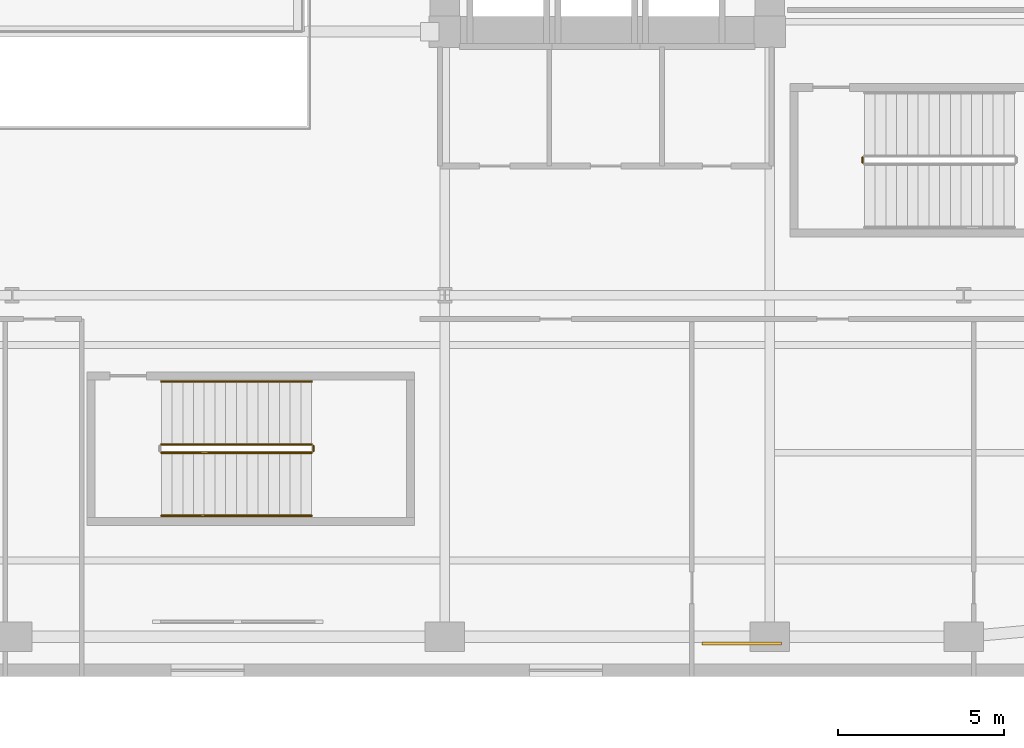
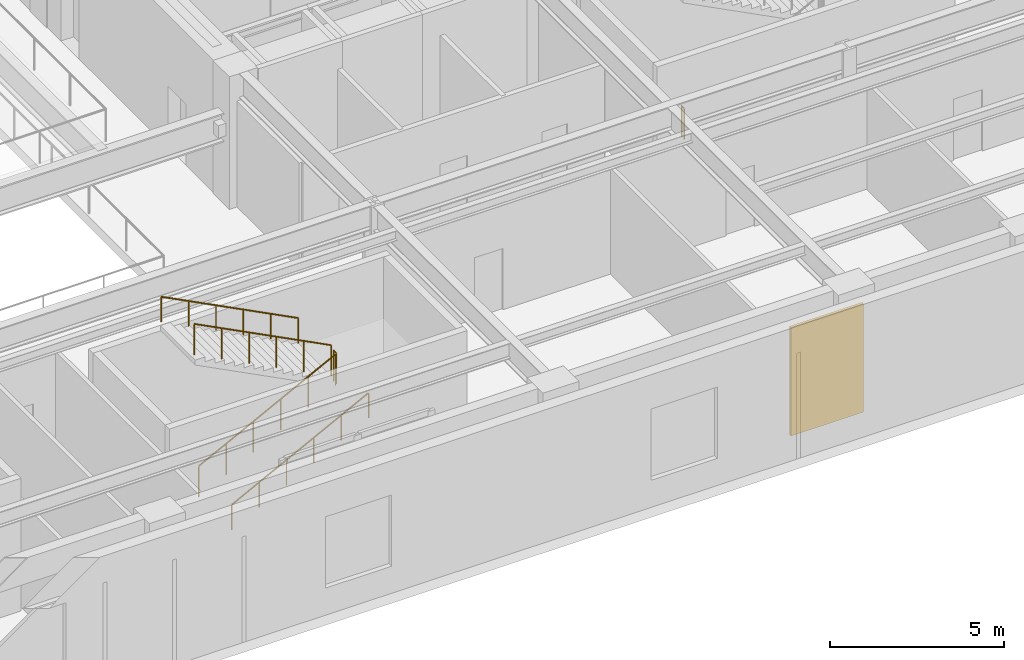
# One storey, part 16 of 22: 6 railings, 1 covering.
"""IFC4 building model written with IfcOpenShell, lengths in metres."""

from ifc_helpers import new_model, si_unit, direction, frame, origin, origin_2d, place, context, subcontext, project, spatial, rectangle, circle, extrude, material, layer, layer_set, type_object, element, save


model = new_model("IFC4")

# Units and contexts
model_context = context("Model", 3, precision=1e-05, world=origin(), true_north=direction((0.0, 1.0)))
body_context = subcontext(model_context, "Body", "Model", "MODEL_VIEW")
ifc_project = project(units=[si_unit("LENGTHUNIT", "METRE"), si_unit("AREAUNIT", "SQUARE_METRE"), si_unit("VOLUMEUNIT", "CUBIC_METRE"), si_unit("PLANEANGLEUNIT", "RADIAN"), si_unit("MASSUNIT", "GRAM", prefix="KILO")], contexts=[model_context])

# Site, building, storey
site_placement = place(None, origin())
site = spatial("IfcSite", under=ifc_project, at=site_placement, CompositionType="ELEMENT")
building_placement = place(site_placement, origin())
building = spatial("IfcBuilding", under=site, at=building_placement, Name="Kolvaren Arena Tower", CompositionType="ELEMENT")
storey_placement = place(building_placement, frame((0.0, 0.0, 13.0)))
storey = spatial("IfcBuildingStorey", under=building, at=storey_placement, Name="L02", CompositionType="ELEMENT", Elevation=13.0)

# Covering
ifc_material_1 = material(Name="Reconstituted Ontario limestone cladding panel", Category="masonry")
ifc_layer = layer(ifc_material_1, 0.0849609375)
ifc_layer_set = layer_set([ifc_layer], Name="Reconstituted Ontario limestone cladding panel")
covering_type = type_object("IfcCoveringType", Name="CLAD-PRC-1", PredefinedType="CLADDING", material=ifc_layer_set)
covering_placement = place(storey_placement, frame((59.5, 1.0, 0.10009765625), z_axis=(0.0, 0.0, 1.0), x_axis=(1.0, 0.0, 0.0)))
element("IfcCovering", 1, at=covering_placement, inside=storey, type_object=covering_type, Name="Limestone Spandrel Cladding Panel 4 (L02)", PredefinedType="CLADDING", context=body_context, shape_type="SweptSolid", body=[
    extrude(rectangle(XDim=2.39990234375, YDim=0.0849609375, at=origin_2d()), origin(), (0.0, 0.0, 1.0), 3.800048828125),
])

# Railings
ifc_material_2 = material(Name="Painted galvanized steel", Category="steel")
railing_type_1 = type_object("IfcRailingType", Name="GUARD-ST-110", PredefinedType="GUARDRAIL", material=ifc_material_2)
railing_1_placement = place(storey_placement, frame((42.0, 6.75, 0.166748046875)))
element("IfcRailing", 2, at=railing_1_placement, inside=storey, type_object=railing_type_1, Name="L02 ST-A3 stair guard 1", PredefinedType="GUARDRAIL", context=body_context, shape_type="SweptSolid", body=[
    extrude(circle(Radius=0.02392578125, at=origin_2d()), frame((0.0, 0.0, 1.076171875), z_axis=(0.889247197123, 0.0, 0.45742695855), x_axis=(0.0, 1.0, 0.0)), (0.0, 0.0, 1.0), 5.100830078125),
    extrude(circle(Radius=0.02099609375, at=origin_2d()), origin(), (0.0, 0.0, 1.0), 1.052001953125),
    extrude(circle(Radius=0.02099609375, at=origin_2d()), frame((0.9072265625, 0.0, 0.466552734375)), (0.0, 0.0, 1.0), 1.052001953125),
    extrude(circle(Radius=0.02099609375, at=origin_2d()), frame((1.814453125, 0.0, 0.933349609375)), (0.0, 0.0, 1.0), 1.052001953125),
    extrude(circle(Radius=0.02099609375, at=origin_2d()), frame((2.721435546875, 0.0, 1.39990234375)), (0.0, 0.0, 1.0), 1.052001953125),
    extrude(circle(Radius=0.02099609375, at=origin_2d()), frame((3.628662109375, 0.0, 1.86669921875)), (0.0, 0.0, 1.0), 1.052001953125),
    extrude(circle(Radius=0.02099609375, at=origin_2d()), frame((4.535888671875, 0.0, 2.333251953125)), (0.0, 0.0, 1.0), 1.052001953125),
])
railing_2_placement = place(storey_placement, frame((46.5859375, 6.800048828125, 2.5)))
element("IfcRailing", 3, at=railing_2_placement, inside=storey, type_object=railing_type_1, Name="L02 ST-A3 stair guard 2", PredefinedType="GUARDRAIL", context=body_context, shape_type="SweptSolid", body=[
    extrude(circle(Radius=0.02392578125, at=origin_2d()), frame((0.0, 0.0, 1.076171875), z_axis=(0.0, 1.0, 0.0), x_axis=(-1.0, 0.0, 0.0)), (0.0, 0.0, 1.0), 0.14990234375),
    extrude(circle(Radius=0.02099609375, at=origin_2d()), origin(), (0.0, 0.0, 1.0), 1.052001953125),
    extrude(circle(Radius=0.02099609375, at=origin_2d()), frame((0.0, 0.14990234375, 0.0)), (0.0, 0.0, 1.0), 1.052001953125),
])
railing_3_placement = place(storey_placement, frame((46.535888671875, 7.0, 2.666748046875)))
element("IfcRailing", 4, at=railing_3_placement, inside=storey, type_object=railing_type_1, Name="L02 ST-A3 stair guard 3", PredefinedType="GUARDRAIL", context=body_context, shape_type="SweptSolid", body=[
    extrude(circle(Radius=0.02392578125, at=origin_2d()), frame((0.0, 0.0, 1.076171875), z_axis=(-0.889247197123, 0.0, 0.45742695855), x_axis=(0.0, -1.0, 0.0)), (0.0, 0.0, 1.0), 5.100830078125),
    extrude(circle(Radius=0.02099609375, at=origin_2d()), origin(), (0.0, 0.0, 1.0), 1.052001953125),
    extrude(circle(Radius=0.02099609375, at=origin_2d()), frame((-0.9072265625, 0.0, 0.466552734375)), (0.0, 0.0, 1.0), 1.052001953125),
    extrude(circle(Radius=0.02099609375, at=origin_2d()), frame((-1.814453125, 0.0, 0.933349609375)), (0.0, 0.0, 1.0), 1.052001953125),
    extrude(circle(Radius=0.02099609375, at=origin_2d()), frame((-2.721435546875, 0.0, 1.39990234375)), (0.0, 0.0, 1.0), 1.052001953125),
    extrude(circle(Radius=0.02099609375, at=origin_2d()), frame((-3.628662109375, 0.0, 1.86669921875)), (0.0, 0.0, 1.0), 1.052001953125),
    extrude(circle(Radius=0.02099609375, at=origin_2d()), frame((-4.535888671875, 0.0, 2.333251953125)), (0.0, 0.0, 1.0), 1.052001953125),
])
railing_4_placement = place(storey_placement, frame((63.14990234375, 15.5, 0.0)))
element("IfcRailing", 5, at=railing_4_placement, inside=storey, type_object=railing_type_1, Name="L02 ST-A4 stair guard 4", PredefinedType="GUARDRAIL", context=body_context, shape_type="SweptSolid", body=[
    extrude(circle(Radius=0.02392578125, at=origin_2d()), frame((0.0, 0.0, 1.076171875), z_axis=(0.0, 1.0, 0.0), x_axis=(-1.0, 0.0, 0.0)), (0.0, 0.0, 1.0), 0.14990234375),
    extrude(circle(Radius=0.02099609375, at=origin_2d()), origin(), (0.0, 0.0, 1.0), 1.052001953125),
    extrude(circle(Radius=0.02099609375, at=origin_2d()), frame((0.0, 0.14990234375, 0.0)), (0.0, 0.0, 1.0), 1.052001953125),
])
ifc_material_3 = material(Name="Brushed stainless steel handrail", Category="steel")
railing_type_2 = type_object("IfcRailingType", Name="HRAIL-900", PredefinedType="HANDRAIL", material=ifc_material_3)
railing_5_placement = place(storey_placement, frame((42.0, 4.85009765625, 0.166748046875)))
element("IfcRailing", 6, at=railing_5_placement, inside=storey, type_object=railing_type_2, Name="L02 ST-A3 stair handrail 1", PredefinedType="HANDRAIL", context=body_context, shape_type="SweptSolid", body=[
    extrude(circle(Radius=0.02392578125, at=origin_2d()), frame((0.0, 0.0, 0.8759765625), z_axis=(0.889247197123, 0.0, 0.45742695855), x_axis=(0.0, 1.0, 0.0)), (0.0, 0.0, 1.0), 5.100830078125),
    extrude(circle(Radius=0.02099609375, at=origin_2d()), origin(), (0.0, 0.0, 1.0), 0.851806640625),
    extrude(circle(Radius=0.02099609375, at=origin_2d()), frame((0.9072265625, 0.0, 0.466552734375)), (0.0, 0.0, 1.0), 0.851806640625),
    extrude(circle(Radius=0.02099609375, at=origin_2d()), frame((1.814453125, 0.0, 0.933349609375)), (0.0, 0.0, 1.0), 0.851806640625),
    extrude(circle(Radius=0.02099609375, at=origin_2d()), frame((2.721435546875, 0.0, 1.39990234375)), (0.0, 0.0, 1.0), 0.851806640625),
    extrude(circle(Radius=0.02099609375, at=origin_2d()), frame((3.628662109375, 0.0, 1.86669921875)), (0.0, 0.0, 1.0), 0.851806640625),
    extrude(circle(Radius=0.02099609375, at=origin_2d()), frame((4.535888671875, 0.0, 2.333251953125)), (0.0, 0.0, 1.0), 0.851806640625),
])
railing_6_placement = place(storey_placement, frame((46.535888671875, 8.89990234375, 2.666748046875)))
element("IfcRailing", 7, at=railing_6_placement, inside=storey, type_object=railing_type_2, Name="L02 ST-A3 stair handrail 2", PredefinedType="HANDRAIL", context=body_context, shape_type="SweptSolid", body=[
    extrude(circle(Radius=0.02392578125, at=origin_2d()), frame((0.0, 0.0, 0.8759765625), z_axis=(-0.889247197123, 0.0, 0.45742695855), x_axis=(0.0, -1.0, 0.0)), (0.0, 0.0, 1.0), 5.100830078125),
    extrude(circle(Radius=0.02099609375, at=origin_2d()), origin(), (0.0, 0.0, 1.0), 0.851806640625),
    extrude(circle(Radius=0.02099609375, at=origin_2d()), frame((-0.9072265625, 0.0, 0.466552734375)), (0.0, 0.0, 1.0), 0.851806640625),
    extrude(circle(Radius=0.02099609375, at=origin_2d()), frame((-1.814453125, 0.0, 0.933349609375)), (0.0, 0.0, 1.0), 0.851806640625),
    extrude(circle(Radius=0.02099609375, at=origin_2d()), frame((-2.721435546875, 0.0, 1.39990234375)), (0.0, 0.0, 1.0), 0.851806640625),
    extrude(circle(Radius=0.02099609375, at=origin_2d()), frame((-3.628662109375, 0.0, 1.86669921875)), (0.0, 0.0, 1.0), 0.851806640625),
    extrude(circle(Radius=0.02099609375, at=origin_2d()), frame((-4.535888671875, 0.0, 2.333251953125)), (0.0, 0.0, 1.0), 0.851806640625),
])

save(model, "model.ifc")
